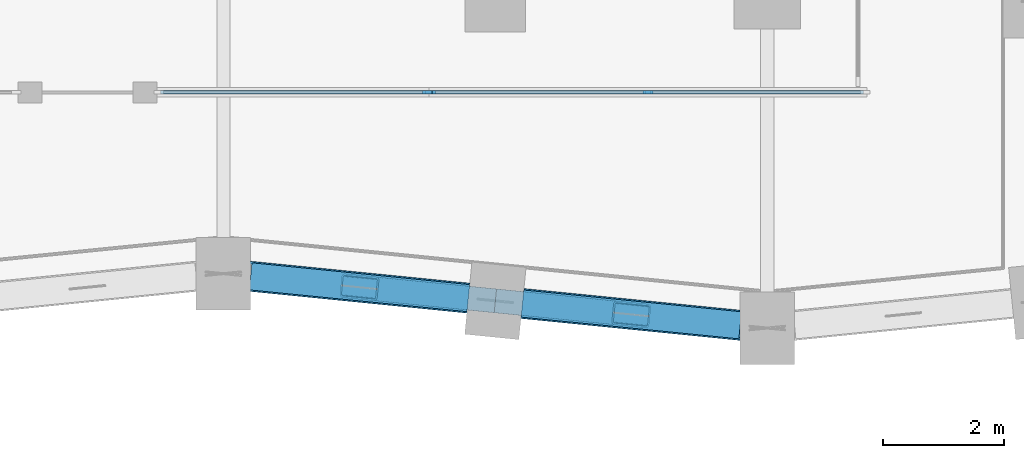
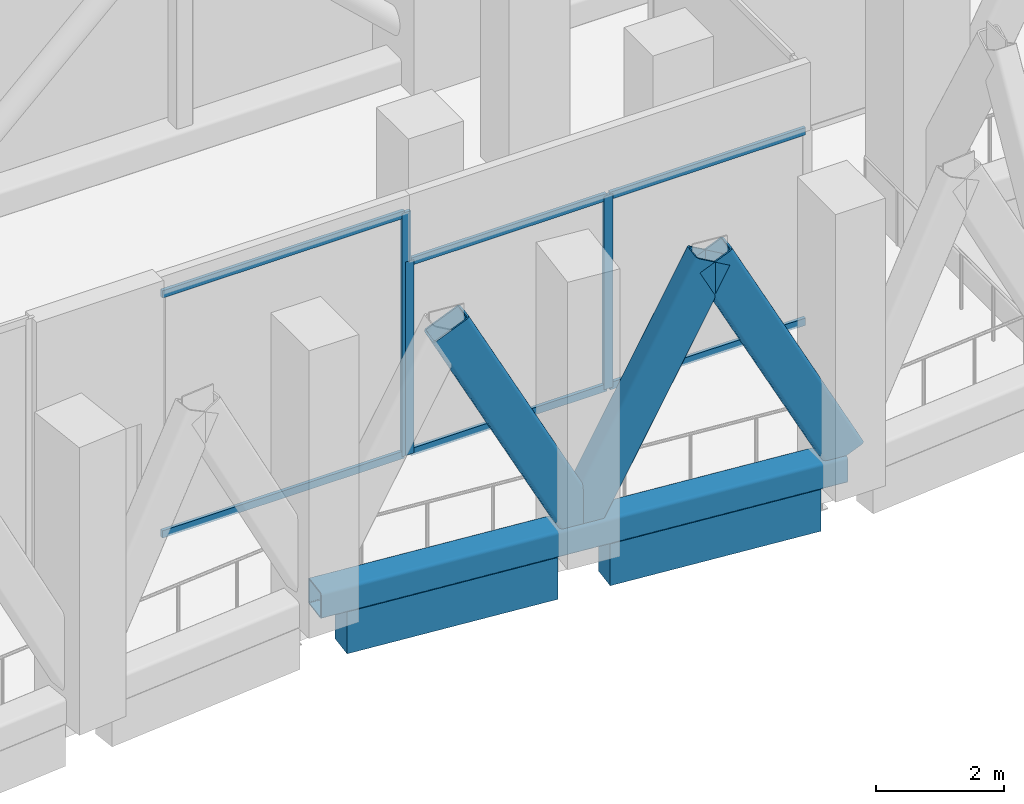
# One storey, part 10 of 37: 13 members, 2 beams, 2 elements without a shape of their own.
"""IFC4 building model written with IfcOpenShell, lengths in metres."""

from ifc_helpers import new_model, si_unit, direction, frame, origin, origin_2d, place, context, subcontext, project, spatial, rectangle, hollow_rectangle, extrude, material, material_profile, profile_set, type_object, element, aggregate, save


model = new_model("IFC4")

# Units and contexts
model_context = context("Model", 3, precision=1e-05, world=origin(), true_north=direction((0.0, 1.0)))
body_context = subcontext(model_context, "Body", "Model", "MODEL_VIEW")
ifc_project = project(units=[si_unit("LENGTHUNIT", "METRE"), si_unit("AREAUNIT", "SQUARE_METRE"), si_unit("VOLUMEUNIT", "CUBIC_METRE"), si_unit("PLANEANGLEUNIT", "RADIAN"), si_unit("MASSUNIT", "GRAM", prefix="KILO")], contexts=[model_context])

# Site, building, storey
site_placement = place(None, origin())
site = spatial("IfcSite", under=ifc_project, at=site_placement, CompositionType="ELEMENT")
building_placement = place(site_placement, origin())
building = spatial("IfcBuilding", under=site, at=building_placement, Name="Brondeck Convention Tower", CompositionType="ELEMENT")
storey_placement = place(building_placement, frame((0.0, 0.0, 137.89990234375)))
storey = spatial("IfcBuildingStorey", under=building, at=storey_placement, Name="L33", CompositionType="ELEMENT", Elevation=137.89990234375)

# Curtain wall, member
ifc_material_1 = material(Name="Aluminium, bronze anodised", Category="aluminium")
curtain_wall_type = type_object("IfcCurtainWallType", Name="Sky lobby curtain wall", PredefinedType="NOTDEFINED", material=ifc_material_1)
curtain_wall_1_placement = place(storey_placement, origin())
curtain_wall_1 = element("IfcCurtainWall", 1, at=curtain_wall_1_placement, inside=storey, type_object=curtain_wall_type, Name="ENV-L33-015-CW30", PredefinedType="NOTDEFINED")
ifc_material_profile_1 = material_profile(ifc_material_1, rectangle(XDim=0.06005859375, YDim=0.159912109375, at=origin_2d()), Name="CW3 mullion")
ifc_profile_set_1 = profile_set([ifc_material_profile_1], Name="Aluminium, bronze anodised")
member_type_1 = type_object("IfcMemberType", Name="CW3 mullion", PredefinedType="MULLION", material=ifc_profile_set_1)
member_1_placement = place(storey_placement, frame((57.3701171875, 30.0, 0.0), z_axis=(0.0, 0.0, 1.0), x_axis=(0.0, -1.0, 0.0)))
member_1 = element("IfcMember", 2, at=member_1_placement, type_object=member_type_1, Name="CW3 mullion 1", PredefinedType="MULLION", context=body_context, shape_type="SweptSolid", body=[
    extrude(rectangle(XDim=0.06005859375, YDim=0.159912109375, at=origin_2d()), origin(), (0.0, 0.0, 1.0), 4.650146484375),
])

# Curtain wall, members
curtain_wall_2_placement = place(storey_placement, origin())
curtain_wall_2 = element("IfcCurtainWall", 3, at=curtain_wall_2_placement, inside=storey, type_object=curtain_wall_type, Name="ENV-L33-016-CW30", PredefinedType="NOTDEFINED")
member_2_placement = place(storey_placement, frame((61.02490234375, 30.0, 0.0), z_axis=(0.0, 0.0, 1.0), x_axis=(0.0, -1.0, 0.0)))
member_2 = element("IfcMember", 4, at=member_2_placement, type_object=member_type_1, Name="CW3 mullion 2", PredefinedType="MULLION", context=body_context, shape_type="SweptSolid", body=[
    extrude(rectangle(XDim=0.06005859375, YDim=0.159912109375, at=origin_2d()), origin(), (0.0, 0.0, 1.0), 3.7001953125),
])
member_3_placement = place(storey_placement, frame((57.429931640625, 30.0, 0.0), z_axis=(0.0, 0.0, 1.0), x_axis=(0.0, -1.0, 0.0)))
member_3 = element("IfcMember", 5, at=member_3_placement, type_object=member_type_1, Name="CW3 mullion 3", PredefinedType="MULLION", context=body_context, shape_type="SweptSolid", body=[
    extrude(rectangle(XDim=0.06005859375, YDim=0.159912109375, at=origin_2d()), origin(), (0.0, 0.0, 1.0), 3.7001953125),
])

# Member
ifc_material_profile_2 = material_profile(ifc_material_1, rectangle(XDim=0.06005859375, YDim=0.139892578125, at=origin_2d()), Name="CW3 transom")
ifc_profile_set_2 = profile_set([ifc_material_profile_2], Name="Aluminium, bronze anodised")
member_type_2 = type_object("IfcMemberType", Name="CW3 transom", PredefinedType="USERDEFINED", material=ifc_profile_set_2)
member_4_placement = place(storey_placement, frame((57.340087890625, 30.0, 0.030029296875), z_axis=(-1.0, 0.0, 0.0), x_axis=(0.0, -1.0, 0.0)))
member_4 = element("IfcMember", 6, at=member_4_placement, type_object=member_type_2, Name="CW3 transom 1.1", ObjectType="TRANSOM", PredefinedType="USERDEFINED", context=body_context, shape_type="SweptSolid", body=[
    extrude(rectangle(XDim=0.06005859375, YDim=0.139892578125, at=origin_2d()), origin(), (0.0, 0.0, 1.0), 4.380126953125),
])

member_5_placement = place(storey_placement, frame((57.340087890625, 30.0, 4.6201171875), z_axis=(-1.0, 0.0, 0.0), x_axis=(0.0, -1.0, 0.0)))
member_5 = element("IfcMember", 7, at=member_5_placement, type_object=member_type_2, Name="CW3 transom 1.2", ObjectType="TRANSOM", PredefinedType="USERDEFINED", context=body_context, shape_type="SweptSolid", body=[
    extrude(rectangle(XDim=0.06005859375, YDim=0.139892578125, at=origin_2d()), origin(), (0.0, 0.0, 1.0), 4.380126953125),
])

aggregate(curtain_wall_1, [member_1, member_4, member_5])

member_6_placement = place(storey_placement, frame((64.590087890625, 30.0, 0.030029296875), z_axis=(-1.0, 0.0, 0.0), x_axis=(0.0, -1.0, 0.0)))
member_6 = element("IfcMember", 8, at=member_6_placement, type_object=member_type_2, Name="CW3 transom 1.1", ObjectType="TRANSOM", PredefinedType="USERDEFINED", context=body_context, shape_type="SweptSolid", body=[
    extrude(rectangle(XDim=0.06005859375, YDim=0.139892578125, at=origin_2d()), origin(), (0.0, 0.0, 1.0), 3.53515625),
])

member_7_placement = place(storey_placement, frame((64.590087890625, 30.0, 3.670166015625), z_axis=(-1.0, 0.0, 0.0), x_axis=(0.0, -1.0, 0.0)))
member_7 = element("IfcMember", 9, at=member_7_placement, type_object=member_type_2, Name="CW3 transom 1.2", ObjectType="TRANSOM", PredefinedType="USERDEFINED", context=body_context, shape_type="SweptSolid", body=[
    extrude(rectangle(XDim=0.06005859375, YDim=0.139892578125, at=origin_2d()), origin(), (0.0, 0.0, 1.0), 3.53515625),
])

member_8_placement = place(storey_placement, frame((60.9951171875, 30.0, 0.030029296875), z_axis=(-1.0, 0.0, 0.0), x_axis=(0.0, -1.0, 0.0)))
member_8 = element("IfcMember", 10, at=member_8_placement, type_object=member_type_2, Name="CW3 transom 2.1", ObjectType="TRANSOM", PredefinedType="USERDEFINED", context=body_context, shape_type="SweptSolid", body=[
    extrude(rectangle(XDim=0.06005859375, YDim=0.139892578125, at=origin_2d()), origin(), (0.0, 0.0, 1.0), 3.53515625),
])

member_9_placement = place(storey_placement, frame((60.9951171875, 30.0, 3.670166015625), z_axis=(-1.0, 0.0, 0.0), x_axis=(0.0, -1.0, 0.0)))
member_9 = element("IfcMember", 11, at=member_9_placement, type_object=member_type_2, Name="CW3 transom 2.2", ObjectType="TRANSOM", PredefinedType="USERDEFINED", context=body_context, shape_type="SweptSolid", body=[
    extrude(rectangle(XDim=0.06005859375, YDim=0.139892578125, at=origin_2d()), origin(), (0.0, 0.0, 1.0), 3.53515625),
])

aggregate(curtain_wall_2, [member_2, member_3, member_6, member_7, member_8, member_9])

# Members
ifc_material_2 = material(Name="Steel S460", Category="steel")
ifc_material_profile_3 = material_profile(ifc_material_2, hollow_rectangle(XDim=0.39990234375, YDim=0.699951171875, WallThickness=0.030029296875, InnerFilletRadius=0.030029296875, OuterFilletRadius=0.06005859375, at=origin_2d()), Name="RHS 700x400x30")
ifc_profile_set_3 = profile_set([ifc_material_profile_3], Name="Steel S460")
member_type_3 = type_object("IfcMemberType", Name="Chevron brace RHS 700x400x30", PredefinedType="BRACE", material=ifc_profile_set_3)
for number, where, z_axis, x_axis, name in (
    (12, (58.5, 26.550048828125, 0.5), (-0.458931352356, 0.045863256892, 0.887287200117), (-0.099439578731, -0.995043602151, 0.0), "Belt truss BT-33-18 diagonal"),
    (13, (58.5, 26.550048828125, 0.5), (0.458930303654, -0.045912949215, 0.887285172581), (0.099546478526, 0.995032913332, 0.0), "Belt truss BT-33-19 diagonal"),
    (14, (63.0, 26.10009765625, 0.5), (-0.458931352356, 0.045863256892, 0.887287200117), (-0.099439578731, -0.995043602151, 0.0), "Belt truss BT-33-19 diagonal"),
):
    element("IfcMember", number, at=place(storey_placement, frame(where, z_axis=z_axis, x_axis=x_axis)), inside=storey, type_object=member_type_3, Name=name, PredefinedType="BRACE", context=body_context, shape_type="SweptSolid", body=[
        extrude(hollow_rectangle(XDim=0.39990234375, YDim=0.699951171875, WallThickness=0.030029296875, InnerFilletRadius=0.030029296875, OuterFilletRadius=0.06005859375, at=origin_2d()), origin(), (0.0, 0.0, 1.0), 4.902587890625),
    ])

# Beams
ifc_material_3 = material(Name="Concrete C70/85", Category="concrete")
ifc_material_profile_4 = material_profile(ifc_material_3, rectangle(XDim=0.449951171875, YDim=0.800048828125, at=origin_2d()), Name="Precast spandrel 450x800 Concrete C70/85")
ifc_profile_set_4 = profile_set([ifc_material_profile_4], Name="Concrete C70/85")
beam_type = type_object("IfcBeamType", Name="Precast spandrel 450x800 Concrete C70/85", PredefinedType="SPANDREL", material=ifc_profile_set_4)
for number, where, z_axis, x_axis, name in (
    (15, (54.449951171875, 26.955078125, -0.39990234375), (0.995033851182, -0.099537103649, 0.0), (0.099537103649, 0.995033851182, 0.0), "STR-SP-L33-018"),
    (16, (58.94775390625, 26.505126953125, -0.39990234375), (0.995040528141, -0.099470334057, 0.0), (0.099470334057, 0.995040528141, 0.0), "STR-SP-L33-019"),
):
    element("IfcBeam", number, at=place(storey_placement, frame(where, z_axis=z_axis, x_axis=x_axis)), inside=storey, type_object=beam_type, Name=name, PredefinedType="SPANDREL", context=body_context, shape_type="SweptSolid", body=[
        extrude(rectangle(XDim=0.449951171875, YDim=0.800048828125, at=origin_2d()), origin(), (0.0, 0.0, 1.0), 3.620361328125),
    ])

# Member
ifc_material_profile_5 = material_profile(ifc_material_2, hollow_rectangle(XDim=0.5, YDim=0.5, WallThickness=0.02490234375, InnerFilletRadius=0.02490234375, OuterFilletRadius=0.050048828125, at=origin_2d()), Name="RHS 500x500x25")
ifc_profile_set_5 = profile_set([ifc_material_profile_5], Name="Steel S460")
member_type_4 = type_object("IfcMemberType", Name="Truss chord RHS 500x500x25", PredefinedType="CHORD", material=ifc_profile_set_5)
member_10_placement = place(storey_placement, frame((54.0, 27.0, 0.25), z_axis=(0.995038259148, -0.099493029059, 0.0), x_axis=(0.099493029059, 0.995038259148, 0.0)))
element("IfcMember", 17, at=member_10_placement, inside=storey, type_object=member_type_4, Name="Belt truss BT-33-9 chord", PredefinedType="CHORD", context=body_context, shape_type="SweptSolid", body=[
    extrude(hollow_rectangle(XDim=0.5, YDim=0.5, WallThickness=0.02490234375, InnerFilletRadius=0.02490234375, OuterFilletRadius=0.050048828125, at=origin_2d()), origin(), (0.0, 0.0, 1.0), 9.044921875),
])

save(model, "model.ifc")
